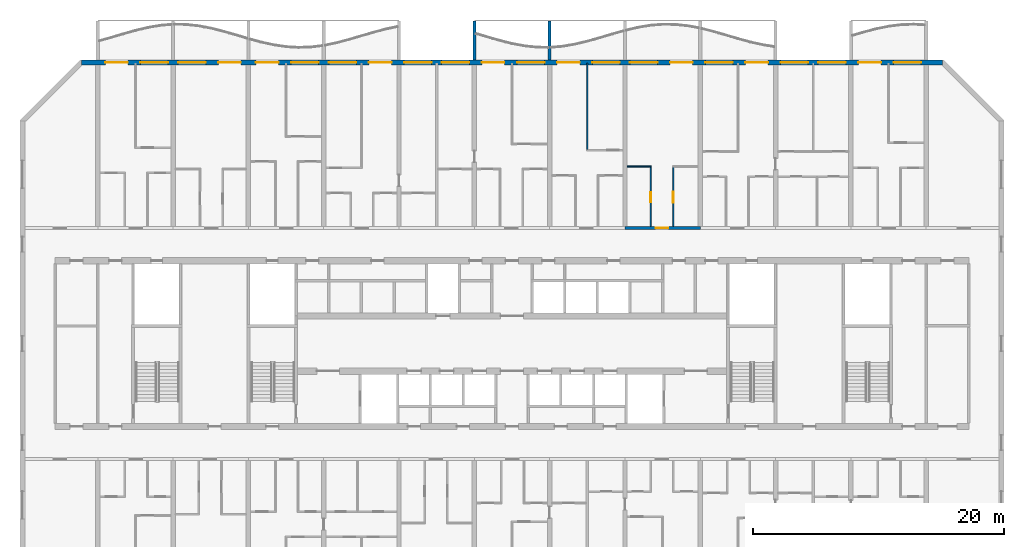
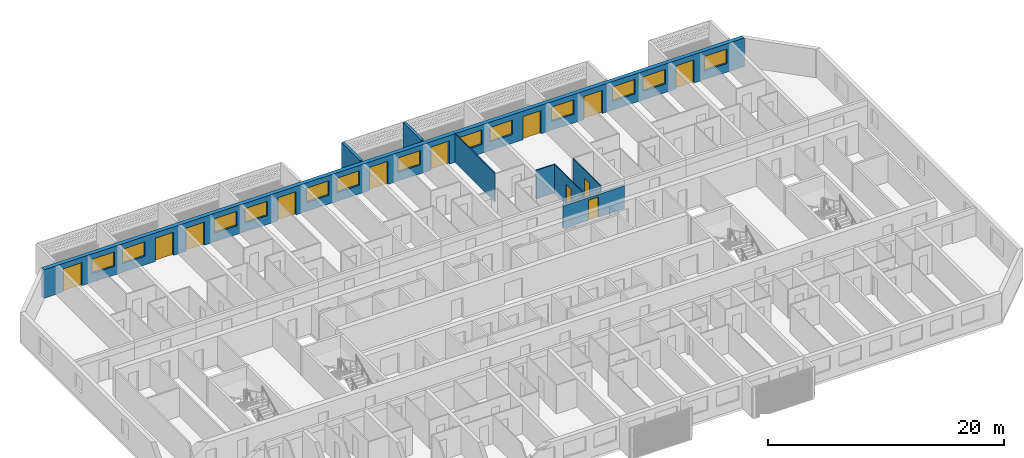
# One storey, part 11 of 24: 13 windows, 12 doors, 8 walls, 25 openings.
"""IFC4 building model written with IfcOpenShell, lengths in metres."""

from ifc_helpers import new_model, si_unit, direction, frame, frame_2d, origin, place, context, subcontext, project, spatial, polyline, rectangle, outline, extrude, source, transform, mapped, material, layer, layer_set, type_object, element, fill, save


model = new_model("IFC4")

# Units and contexts
model_context = context("Model", 3, precision=1e-05, world=origin(), true_north=direction((0.0, 1.0)))
body_context = subcontext(model_context, "Body", "Model", "MODEL_VIEW")
ifc_project = project(units=[si_unit("LENGTHUNIT", "METRE"), si_unit("AREAUNIT", "SQUARE_METRE"), si_unit("VOLUMEUNIT", "CUBIC_METRE"), si_unit("PLANEANGLEUNIT", "RADIAN"), si_unit("MASSUNIT", "GRAM", prefix="KILO")], contexts=[model_context])

# Site, building, storey
site_placement = place(None, origin())
site = spatial("IfcSite", under=ifc_project, at=site_placement, CompositionType="ELEMENT")
building_placement = place(site_placement, origin())
building = spatial("IfcBuilding", under=site, at=building_placement, Name="Poui Terraces", CompositionType="ELEMENT")
storey_placement = place(building_placement, frame((0.0, 0.0, 112.5)))
storey = spatial("IfcBuildingStorey", under=building, at=storey_placement, Name="L31", CompositionType="ELEMENT", Elevation=112.5)

# Wall, opening, door
ifc_material_1 = material(Name="Concrete 65 MPa", Category="concrete")
ifc_layer_1 = layer(ifc_material_1, 0.25)
ifc_layer_set_1 = layer_set([ifc_layer_1], Name="Concrete 65 MPa")
wall_type_1 = type_object("IfcWallType", Name="CORRIDOR WALL 250 65MPa", PredefinedType="SHEAR", material=ifc_layer_set_1)
wall_1_placement = place(storey_placement, frame((60.0, 30.39990234375, 0.0), z_axis=(0.0, 0.0, 1.0), x_axis=(1.0, 0.0, 0.0)))
wall_1 = element("IfcWall", 1, at=wall_1_placement, inside=storey, type_object=wall_type_1, Name="CORRIDOR WALL LINE E BAY 9", PredefinedType="SHEAR", context=body_context, shape_type="SweptSolid", body=[
    extrude(rectangle(XDim=6.0, YDim=0.25, at=frame_2d((3.0, 0.0))), origin(), (0.0, 0.0, 1.0), 2.35009765625),
])
opening_1_placement = place(wall_1_placement, frame((2.449951171875, 0.0, 0.0)))
opening_1 = element("IfcOpeningElement", 2, at=opening_1_placement, cuts=wall_1, Name="Opening FD30S", PredefinedType="OPENING", context=body_context, shape_type="SweptSolid", body=[
    extrude(rectangle(XDim=1.0, YDim=2.10009765625, at=frame_2d((0.5, 1.050048828125))), frame((0.0, 0.135009765625, 0.0), z_axis=(0.0, -1.0, 0.0), x_axis=(1.0, 0.0, 0.0)), (0.0, 0.0, 1.0), 0.27001953125),
])
ifc_material_2 = material(Name="Steel fire door", Category="steel")
door_type_1 = type_object("IfcDoorType", Name="FLAT ENTRANCE DOOR 1000 X 2100", OperationType="NOTDEFINED", PredefinedType="DOOR", material=ifc_material_2)
door_1_placement = place(opening_1_placement, origin())
door_1 = element("IfcDoor", 3, at=door_1_placement, inside=storey, type_object=door_type_1, Name="FLAT ENTRANCE DOOR 059", OperationType="SINGLE_SWING_LEFT", OverallHeight=2.10009765625, OverallWidth=1.0, PredefinedType="DOOR", context=body_context, shape_type="SweptSolid", body=[
    extrude(rectangle(XDim=1.0, YDim=2.10009765625, at=frame_2d((0.5, 1.050048828125))), frame((0.0, 0.02490234375, 0.0), z_axis=(0.0, -1.0, 0.0), x_axis=(1.0, 0.0, 0.0)), (0.0, 0.0, 1.0), 0.050048828125),
])
fill(opening_1, door_1)

# Wall, openings, doors, windows
ifc_material_3 = material(Name="Precast concrete 40 MPa", Category="concrete")
ifc_layer_2 = layer(ifc_material_3, 0.39990234375)
ifc_layer_set_2 = layer_set([ifc_layer_2], Name="Precast concrete 40 MPa")
wall_type_2 = type_object("IfcWallType", Name="EXTERNAL WALL 400", PredefinedType="STANDARD", material=ifc_layer_set_2)
wall_2_placement = place(storey_placement, frame((85.317138671875, 43.60009765625, 0.0), z_axis=(0.0, 0.0, 1.0), x_axis=(-1.0, 0.0, 0.0)))
wall_2 = element("IfcWall", 4, at=wall_2_placement, inside=storey, type_object=wall_type_2, Name="EXTERNAL WALL N", PredefinedType="STANDARD", context=body_context, shape_type="SweptSolid", body=[
    extrude(rectangle(XDim=68.63427734375, YDim=0.39990234375, at=frame_2d((34.317138671875, 0.0))), origin(), (0.0, 0.0, 1.0), 2.949951171875),
])
opening_2_placement = place(wall_2_placement, frame((64.917236328125, 0.0, 0.0)))
opening_2 = element("IfcOpeningElement", 5, at=opening_2_placement, cuts=wall_2, Name="Opening BD1", PredefinedType="OPENING", context=body_context, shape_type="SweptSolid", body=[
    extrude(rectangle(XDim=1.800048828125, YDim=2.39990234375, at=frame_2d((0.89990234375, 1.199951171875))), frame((0.0, 0.2099609375, 0.0), z_axis=(0.0, -1.0, 0.0), x_axis=(1.0, 0.0, 0.0)), (0.0, 0.0, 1.0), 0.419921875),
])
opening_3_placement = place(wall_2_placement, frame((61.71728515625, 0.0, 0.89990234375)))
opening_3 = element("IfcOpeningElement", 6, at=opening_3_placement, cuts=wall_2, Name="Opening W1", PredefinedType="OPENING", context=body_context, shape_type="SweptSolid", body=[
    extrude(rectangle(XDim=2.199951171875, YDim=1.5, at=frame_2d((1.10009765625, 0.75))), frame((0.0, 0.2099609375, 0.0), z_axis=(0.0, -1.0, 0.0), x_axis=(1.0, 0.0, 0.0)), (0.0, 0.0, 1.0), 0.419921875),
])
opening_4_placement = place(wall_2_placement, frame((58.71728515625, 0.0, 0.89990234375)))
opening_4 = element("IfcOpeningElement", 7, at=opening_4_placement, cuts=wall_2, Name="Opening W1", PredefinedType="OPENING", context=body_context, shape_type="SweptSolid", body=[
    extrude(rectangle(XDim=2.199951171875, YDim=1.5, at=frame_2d((1.10009765625, 0.75))), frame((0.0, 0.2099609375, 0.0), z_axis=(0.0, -1.0, 0.0), x_axis=(1.0, 0.0, 0.0)), (0.0, 0.0, 1.0), 0.419921875),
])
opening_5_placement = place(wall_2_placement, frame((55.917236328125, 0.0, 0.0)))
opening_5 = element("IfcOpeningElement", 8, at=opening_5_placement, cuts=wall_2, Name="Opening BD1", PredefinedType="OPENING", context=body_context, shape_type="SweptSolid", body=[
    extrude(rectangle(XDim=1.800048828125, YDim=2.39990234375, at=frame_2d((0.89990234375, 1.199951171875))), frame((0.0, 0.2099609375, 0.0), z_axis=(0.0, -1.0, 0.0), x_axis=(1.0, 0.0, 0.0)), (0.0, 0.0, 1.0), 0.419921875),
])
opening_6_placement = place(wall_2_placement, frame((52.917236328125, 0.0, 0.0)))
opening_6 = element("IfcOpeningElement", 9, at=opening_6_placement, cuts=wall_2, Name="Opening BD1", PredefinedType="OPENING", context=body_context, shape_type="SweptSolid", body=[
    extrude(rectangle(XDim=1.800048828125, YDim=2.39990234375, at=frame_2d((0.89990234375, 1.199951171875))), frame((0.0, 0.2099609375, 0.0), z_axis=(0.0, -1.0, 0.0), x_axis=(1.0, 0.0, 0.0)), (0.0, 0.0, 1.0), 0.419921875),
])
opening_7_placement = place(wall_2_placement, frame((49.71728515625, 0.0, 0.89990234375)))
opening_7 = element("IfcOpeningElement", 10, at=opening_7_placement, cuts=wall_2, Name="Opening W1", PredefinedType="OPENING", context=body_context, shape_type="SweptSolid", body=[
    extrude(rectangle(XDim=2.199951171875, YDim=1.5, at=frame_2d((1.10009765625, 0.75))), frame((0.0, 0.2099609375, 0.0), z_axis=(0.0, -1.0, 0.0), x_axis=(1.0, 0.0, 0.0)), (0.0, 0.0, 1.0), 0.419921875),
])
opening_8_placement = place(wall_2_placement, frame((46.71728515625, 0.0, 0.89990234375)))
opening_8 = element("IfcOpeningElement", 11, at=opening_8_placement, cuts=wall_2, Name="Opening W1", PredefinedType="OPENING", context=body_context, shape_type="SweptSolid", body=[
    extrude(rectangle(XDim=2.199951171875, YDim=1.5, at=frame_2d((1.10009765625, 0.75))), frame((0.0, 0.2099609375, 0.0), z_axis=(0.0, -1.0, 0.0), x_axis=(1.0, 0.0, 0.0)), (0.0, 0.0, 1.0), 0.419921875),
])
opening_9_placement = place(wall_2_placement, frame((43.917236328125, 0.0, 0.0)))
opening_9 = element("IfcOpeningElement", 12, at=opening_9_placement, cuts=wall_2, Name="Opening BD1", PredefinedType="OPENING", context=body_context, shape_type="SweptSolid", body=[
    extrude(rectangle(XDim=1.800048828125, YDim=2.39990234375, at=frame_2d((0.89990234375, 1.199951171875))), frame((0.0, 0.2099609375, 0.0), z_axis=(0.0, -1.0, 0.0), x_axis=(1.0, 0.0, 0.0)), (0.0, 0.0, 1.0), 0.419921875),
])
opening_10_placement = place(wall_2_placement, frame((40.71728515625, 0.0, 0.89990234375)))
opening_10 = element("IfcOpeningElement", 13, at=opening_10_placement, cuts=wall_2, Name="Opening W1", PredefinedType="OPENING", context=body_context, shape_type="SweptSolid", body=[
    extrude(rectangle(XDim=2.199951171875, YDim=1.5, at=frame_2d((1.10009765625, 0.75))), frame((0.0, 0.2099609375, 0.0), z_axis=(0.0, -1.0, 0.0), x_axis=(1.0, 0.0, 0.0)), (0.0, 0.0, 1.0), 0.419921875),
])
opening_11_placement = place(wall_2_placement, frame((37.71728515625, 0.0, 0.89990234375)))
opening_11 = element("IfcOpeningElement", 14, at=opening_11_placement, cuts=wall_2, Name="Opening W1", PredefinedType="OPENING", context=body_context, shape_type="SweptSolid", body=[
    extrude(rectangle(XDim=2.199951171875, YDim=1.5, at=frame_2d((1.10009765625, 0.75))), frame((0.0, 0.2099609375, 0.0), z_axis=(0.0, -1.0, 0.0), x_axis=(1.0, 0.0, 0.0)), (0.0, 0.0, 1.0), 0.419921875),
])
opening_12_placement = place(wall_2_placement, frame((34.917236328125, 0.0, 0.0)))
opening_12 = element("IfcOpeningElement", 15, at=opening_12_placement, cuts=wall_2, Name="Opening BD1", PredefinedType="OPENING", context=body_context, shape_type="SweptSolid", body=[
    extrude(rectangle(XDim=1.800048828125, YDim=2.39990234375, at=frame_2d((0.89990234375, 1.199951171875))), frame((0.0, 0.2099609375, 0.0), z_axis=(0.0, -1.0, 0.0), x_axis=(1.0, 0.0, 0.0)), (0.0, 0.0, 1.0), 0.419921875),
])
opening_13_placement = place(wall_2_placement, frame((31.71728515625, 0.0, 0.89990234375)))
opening_13 = element("IfcOpeningElement", 16, at=opening_13_placement, cuts=wall_2, Name="Opening W1", PredefinedType="OPENING", context=body_context, shape_type="SweptSolid", body=[
    extrude(rectangle(XDim=2.199951171875, YDim=1.5, at=frame_2d((1.10009765625, 0.75))), frame((0.0, 0.2099609375, 0.0), z_axis=(0.0, -1.0, 0.0), x_axis=(1.0, 0.0, 0.0)), (0.0, 0.0, 1.0), 0.419921875),
])
opening_14_placement = place(wall_2_placement, frame((28.917236328125, 0.0, 0.0)))
opening_14 = element("IfcOpeningElement", 17, at=opening_14_placement, cuts=wall_2, Name="Opening BD1", PredefinedType="OPENING", context=body_context, shape_type="SweptSolid", body=[
    extrude(rectangle(XDim=1.800048828125, YDim=2.39990234375, at=frame_2d((0.89990234375, 1.199951171875))), frame((0.0, 0.2099609375, 0.0), z_axis=(0.0, -1.0, 0.0), x_axis=(1.0, 0.0, 0.0)), (0.0, 0.0, 1.0), 0.419921875),
])
opening_15_placement = place(wall_2_placement, frame((25.71728515625, 0.0, 0.89990234375)))
opening_15 = element("IfcOpeningElement", 18, at=opening_15_placement, cuts=wall_2, Name="Opening W1", PredefinedType="OPENING", context=body_context, shape_type="SweptSolid", body=[
    extrude(rectangle(XDim=2.199951171875, YDim=1.5, at=frame_2d((1.10009765625, 0.75))), frame((0.0, 0.2099609375, 0.0), z_axis=(0.0, -1.0, 0.0), x_axis=(1.0, 0.0, 0.0)), (0.0, 0.0, 1.0), 0.419921875),
])
opening_16_placement = place(wall_2_placement, frame((22.71728515625, 0.0, 0.89990234375)))
opening_16 = element("IfcOpeningElement", 19, at=opening_16_placement, cuts=wall_2, Name="Opening W1", PredefinedType="OPENING", context=body_context, shape_type="SweptSolid", body=[
    extrude(rectangle(XDim=2.199951171875, YDim=1.5, at=frame_2d((1.10009765625, 0.75))), frame((0.0, 0.2099609375, 0.0), z_axis=(0.0, -1.0, 0.0), x_axis=(1.0, 0.0, 0.0)), (0.0, 0.0, 1.0), 0.419921875),
])
opening_17_placement = place(wall_2_placement, frame((19.917236328125, 0.0, 0.0)))
opening_17 = element("IfcOpeningElement", 20, at=opening_17_placement, cuts=wall_2, Name="Opening BD1", PredefinedType="OPENING", context=body_context, shape_type="SweptSolid", body=[
    extrude(rectangle(XDim=1.800048828125, YDim=2.39990234375, at=frame_2d((0.89990234375, 1.199951171875))), frame((0.0, 0.2099609375, 0.0), z_axis=(0.0, -1.0, 0.0), x_axis=(1.0, 0.0, 0.0)), (0.0, 0.0, 1.0), 0.419921875),
])
opening_18_placement = place(wall_2_placement, frame((16.71728515625, 0.0, 0.89990234375)))
opening_18 = element("IfcOpeningElement", 21, at=opening_18_placement, cuts=wall_2, Name="Opening W1", PredefinedType="OPENING", context=body_context, shape_type="SweptSolid", body=[
    extrude(rectangle(XDim=2.199951171875, YDim=1.5, at=frame_2d((1.10009765625, 0.75))), frame((0.0, 0.2099609375, 0.0), z_axis=(0.0, -1.0, 0.0), x_axis=(1.0, 0.0, 0.0)), (0.0, 0.0, 1.0), 0.419921875),
])
opening_19_placement = place(wall_2_placement, frame((13.917236328125, 0.0, 0.0)))
opening_19 = element("IfcOpeningElement", 22, at=opening_19_placement, cuts=wall_2, Name="Opening BD1", PredefinedType="OPENING", context=body_context, shape_type="SweptSolid", body=[
    extrude(rectangle(XDim=1.800048828125, YDim=2.39990234375, at=frame_2d((0.89990234375, 1.199951171875))), frame((0.0, 0.2099609375, 0.0), z_axis=(0.0, -1.0, 0.0), x_axis=(1.0, 0.0, 0.0)), (0.0, 0.0, 1.0), 0.419921875),
])
opening_20_placement = place(wall_2_placement, frame((10.71728515625, 0.0, 0.89990234375)))
opening_20 = element("IfcOpeningElement", 23, at=opening_20_placement, cuts=wall_2, Name="Opening W1", PredefinedType="OPENING", context=body_context, shape_type="SweptSolid", body=[
    extrude(rectangle(XDim=2.199951171875, YDim=1.5, at=frame_2d((1.10009765625, 0.75))), frame((0.0, 0.2099609375, 0.0), z_axis=(0.0, -1.0, 0.0), x_axis=(1.0, 0.0, 0.0)), (0.0, 0.0, 1.0), 0.419921875),
])
opening_21_placement = place(wall_2_placement, frame((7.71728515625, 0.0, 0.89990234375)))
opening_21 = element("IfcOpeningElement", 24, at=opening_21_placement, cuts=wall_2, Name="Opening W1", PredefinedType="OPENING", context=body_context, shape_type="SweptSolid", body=[
    extrude(rectangle(XDim=2.199951171875, YDim=1.5, at=frame_2d((1.10009765625, 0.75))), frame((0.0, 0.2099609375, 0.0), z_axis=(0.0, -1.0, 0.0), x_axis=(1.0, 0.0, 0.0)), (0.0, 0.0, 1.0), 0.419921875),
])
opening_22_placement = place(wall_2_placement, frame((4.917236328125, 0.0, 0.0)))
opening_22 = element("IfcOpeningElement", 25, at=opening_22_placement, cuts=wall_2, Name="Opening BD1", PredefinedType="OPENING", context=body_context, shape_type="SweptSolid", body=[
    extrude(rectangle(XDim=1.800048828125, YDim=2.39990234375, at=frame_2d((0.89990234375, 1.199951171875))), frame((0.0, 0.2099609375, 0.0), z_axis=(0.0, -1.0, 0.0), x_axis=(1.0, 0.0, 0.0)), (0.0, 0.0, 1.0), 0.419921875),
])
opening_23_placement = place(wall_2_placement, frame((1.71728515625, 0.0, 0.89990234375)))
opening_23 = element("IfcOpeningElement", 26, at=opening_23_placement, cuts=wall_2, Name="Opening W1", PredefinedType="OPENING", context=body_context, shape_type="SweptSolid", body=[
    extrude(rectangle(XDim=2.199951171875, YDim=1.5, at=frame_2d((1.10009765625, 0.75))), frame((0.0, 0.2099609375, 0.0), z_axis=(0.0, -1.0, 0.0), x_axis=(1.0, 0.0, 0.0)), (0.0, 0.0, 1.0), 0.419921875),
])
ifc_material_4 = material(Name="Clear glass in aluminium frame", Category="aluminium")
door_type_2 = type_object("IfcDoorType", Name="BALCONY DOOR 1800X2400", OperationType="DOUBLE_DOOR_SLIDING", PredefinedType="DOOR", material=ifc_material_4)
door_2_placement = place(opening_2_placement, origin())
door_2 = element("IfcDoor", 27, at=door_2_placement, inside=storey, type_object=door_type_2, Name="BD1 BALCONY DOOR", OperationType="DOUBLE_DOOR_SLIDING", OverallHeight=2.39990234375, OverallWidth=1.800048828125, PredefinedType="DOOR", context=body_context, shape_type="SweptSolid", body=[
    extrude(rectangle(XDim=1.800048828125, YDim=2.39990234375, at=frame_2d((0.89990234375, 1.199951171875))), frame((0.0, 0.02490234375, 0.0), z_axis=(0.0, -1.0, 0.0), x_axis=(1.0, 0.0, 0.0)), (0.0, 0.0, 1.0), 0.050048828125),
])
fill(opening_2, door_2)
door_3_placement = place(opening_5_placement, origin())
door_3 = element("IfcDoor", 28, at=door_3_placement, inside=storey, type_object=door_type_2, Name="BD1 BALCONY DOOR", OperationType="DOUBLE_DOOR_SLIDING", OverallHeight=2.39990234375, OverallWidth=1.800048828125, PredefinedType="DOOR", context=body_context, shape_type="SweptSolid", body=[
    extrude(rectangle(XDim=1.800048828125, YDim=2.39990234375, at=frame_2d((0.89990234375, 1.199951171875))), frame((0.0, 0.02490234375, 0.0), z_axis=(0.0, -1.0, 0.0), x_axis=(1.0, 0.0, 0.0)), (0.0, 0.0, 1.0), 0.050048828125),
])
fill(opening_5, door_3)
door_4_placement = place(opening_6_placement, origin())
door_4 = element("IfcDoor", 29, at=door_4_placement, inside=storey, type_object=door_type_2, Name="BD1 BALCONY DOOR", OperationType="DOUBLE_DOOR_SLIDING", OverallHeight=2.39990234375, OverallWidth=1.800048828125, PredefinedType="DOOR", context=body_context, shape_type="SweptSolid", body=[
    extrude(rectangle(XDim=1.800048828125, YDim=2.39990234375, at=frame_2d((0.89990234375, 1.199951171875))), frame((0.0, 0.02490234375, 0.0), z_axis=(0.0, -1.0, 0.0), x_axis=(1.0, 0.0, 0.0)), (0.0, 0.0, 1.0), 0.050048828125),
])
fill(opening_6, door_4)
door_5_placement = place(opening_9_placement, origin())
door_5 = element("IfcDoor", 30, at=door_5_placement, inside=storey, type_object=door_type_2, Name="BD1 BALCONY DOOR", OperationType="DOUBLE_DOOR_SLIDING", OverallHeight=2.39990234375, OverallWidth=1.800048828125, PredefinedType="DOOR", context=body_context, shape_type="SweptSolid", body=[
    extrude(rectangle(XDim=1.800048828125, YDim=2.39990234375, at=frame_2d((0.89990234375, 1.199951171875))), frame((0.0, 0.02490234375, 0.0), z_axis=(0.0, -1.0, 0.0), x_axis=(1.0, 0.0, 0.0)), (0.0, 0.0, 1.0), 0.050048828125),
])
fill(opening_9, door_5)
door_6_placement = place(opening_12_placement, origin())
door_6 = element("IfcDoor", 31, at=door_6_placement, inside=storey, type_object=door_type_2, Name="BD1 BALCONY DOOR", OperationType="DOUBLE_DOOR_SLIDING", OverallHeight=2.39990234375, OverallWidth=1.800048828125, PredefinedType="DOOR", context=body_context, shape_type="SweptSolid", body=[
    extrude(rectangle(XDim=1.800048828125, YDim=2.39990234375, at=frame_2d((0.89990234375, 1.199951171875))), frame((0.0, 0.02490234375, 0.0), z_axis=(0.0, -1.0, 0.0), x_axis=(1.0, 0.0, 0.0)), (0.0, 0.0, 1.0), 0.050048828125),
])
fill(opening_12, door_6)
door_7_placement = place(opening_14_placement, origin())
door_7 = element("IfcDoor", 32, at=door_7_placement, inside=storey, type_object=door_type_2, Name="BD1 BALCONY DOOR", OperationType="DOUBLE_DOOR_SLIDING", OverallHeight=2.39990234375, OverallWidth=1.800048828125, PredefinedType="DOOR", context=body_context, shape_type="SweptSolid", body=[
    extrude(rectangle(XDim=1.800048828125, YDim=2.39990234375, at=frame_2d((0.89990234375, 1.199951171875))), frame((0.0, 0.02490234375, 0.0), z_axis=(0.0, -1.0, 0.0), x_axis=(1.0, 0.0, 0.0)), (0.0, 0.0, 1.0), 0.050048828125),
])
fill(opening_14, door_7)
door_8_placement = place(opening_17_placement, origin())
door_8 = element("IfcDoor", 33, at=door_8_placement, inside=storey, type_object=door_type_2, Name="BD1 BALCONY DOOR", OperationType="DOUBLE_DOOR_SLIDING", OverallHeight=2.39990234375, OverallWidth=1.800048828125, PredefinedType="DOOR", context=body_context, shape_type="SweptSolid", body=[
    extrude(rectangle(XDim=1.800048828125, YDim=2.39990234375, at=frame_2d((0.89990234375, 1.199951171875))), frame((0.0, 0.02490234375, 0.0), z_axis=(0.0, -1.0, 0.0), x_axis=(1.0, 0.0, 0.0)), (0.0, 0.0, 1.0), 0.050048828125),
])
fill(opening_17, door_8)
door_9_placement = place(opening_19_placement, origin())
door_9 = element("IfcDoor", 34, at=door_9_placement, inside=storey, type_object=door_type_2, Name="BD1 BALCONY DOOR", OperationType="DOUBLE_DOOR_SLIDING", OverallHeight=2.39990234375, OverallWidth=1.800048828125, PredefinedType="DOOR", context=body_context, shape_type="SweptSolid", body=[
    extrude(rectangle(XDim=1.800048828125, YDim=2.39990234375, at=frame_2d((0.89990234375, 1.199951171875))), frame((0.0, 0.02490234375, 0.0), z_axis=(0.0, -1.0, 0.0), x_axis=(1.0, 0.0, 0.0)), (0.0, 0.0, 1.0), 0.050048828125),
])
fill(opening_19, door_9)
door_10_placement = place(opening_22_placement, origin())
door_10 = element("IfcDoor", 35, at=door_10_placement, inside=storey, type_object=door_type_2, Name="BD1 BALCONY DOOR", OperationType="DOUBLE_DOOR_SLIDING", OverallHeight=2.39990234375, OverallWidth=1.800048828125, PredefinedType="DOOR", context=body_context, shape_type="SweptSolid", body=[
    extrude(rectangle(XDim=1.800048828125, YDim=2.39990234375, at=frame_2d((0.89990234375, 1.199951171875))), frame((0.0, 0.02490234375, 0.0), z_axis=(0.0, -1.0, 0.0), x_axis=(1.0, 0.0, 0.0)), (0.0, 0.0, 1.0), 0.050048828125),
])
fill(opening_22, door_10)
window_type = type_object("IfcWindowType", Name="WINDOW 2200X1500", PartitioningType="DOUBLE_PANEL_HORIZONTAL", PredefinedType="WINDOW", material=ifc_material_4)
window_1_placement = place(opening_3_placement, origin())
window_1 = element("IfcWindow", 36, at=window_1_placement, inside=storey, type_object=window_type, Name="W1 WINDOW", OverallHeight=1.5, OverallWidth=2.199951171875, PartitioningType="DOUBLE_PANEL_HORIZONTAL", PredefinedType="WINDOW", context=body_context, shape_type="SweptSolid", body=[
    extrude(rectangle(XDim=2.199951171875, YDim=1.5, at=frame_2d((1.10009765625, 0.75))), frame((0.0, 0.030029296875, 0.0), z_axis=(0.0, -1.0, 0.0), x_axis=(1.0, 0.0, 0.0)), (0.0, 0.0, 1.0), 0.06005859375),
])
fill(opening_3, window_1)
window_2_placement = place(opening_4_placement, origin())
window_2 = element("IfcWindow", 37, at=window_2_placement, inside=storey, type_object=window_type, Name="W1 WINDOW", OverallHeight=1.5, OverallWidth=2.199951171875, PartitioningType="DOUBLE_PANEL_HORIZONTAL", PredefinedType="WINDOW", context=body_context, shape_type="SweptSolid", body=[
    extrude(rectangle(XDim=2.199951171875, YDim=1.5, at=frame_2d((1.10009765625, 0.75))), frame((0.0, 0.030029296875, 0.0), z_axis=(0.0, -1.0, 0.0), x_axis=(1.0, 0.0, 0.0)), (0.0, 0.0, 1.0), 0.06005859375),
])
fill(opening_4, window_2)
window_3_placement = place(opening_7_placement, origin())
window_3 = element("IfcWindow", 38, at=window_3_placement, inside=storey, type_object=window_type, Name="W1 WINDOW", OverallHeight=1.5, OverallWidth=2.199951171875, PartitioningType="DOUBLE_PANEL_HORIZONTAL", PredefinedType="WINDOW", context=body_context, shape_type="SweptSolid", body=[
    extrude(rectangle(XDim=2.199951171875, YDim=1.5, at=frame_2d((1.10009765625, 0.75))), frame((0.0, 0.030029296875, 0.0), z_axis=(0.0, -1.0, 0.0), x_axis=(1.0, 0.0, 0.0)), (0.0, 0.0, 1.0), 0.06005859375),
])
fill(opening_7, window_3)
window_4_placement = place(opening_8_placement, origin())
window_4 = element("IfcWindow", 39, at=window_4_placement, inside=storey, type_object=window_type, Name="W1 WINDOW", OverallHeight=1.5, OverallWidth=2.199951171875, PartitioningType="DOUBLE_PANEL_HORIZONTAL", PredefinedType="WINDOW", context=body_context, shape_type="SweptSolid", body=[
    extrude(rectangle(XDim=2.199951171875, YDim=1.5, at=frame_2d((1.10009765625, 0.75))), frame((0.0, 0.030029296875, 0.0), z_axis=(0.0, -1.0, 0.0), x_axis=(1.0, 0.0, 0.0)), (0.0, 0.0, 1.0), 0.06005859375),
])
fill(opening_8, window_4)
window_5_placement = place(opening_10_placement, origin())
window_5 = element("IfcWindow", 40, at=window_5_placement, inside=storey, type_object=window_type, Name="W1 WINDOW", OverallHeight=1.5, OverallWidth=2.199951171875, PartitioningType="DOUBLE_PANEL_HORIZONTAL", PredefinedType="WINDOW", context=body_context, shape_type="SweptSolid", body=[
    extrude(rectangle(XDim=2.199951171875, YDim=1.5, at=frame_2d((1.10009765625, 0.75))), frame((0.0, 0.030029296875, 0.0), z_axis=(0.0, -1.0, 0.0), x_axis=(1.0, 0.0, 0.0)), (0.0, 0.0, 1.0), 0.06005859375),
])
fill(opening_10, window_5)
window_6_placement = place(opening_11_placement, origin())
window_6 = element("IfcWindow", 41, at=window_6_placement, inside=storey, type_object=window_type, Name="W1 WINDOW", OverallHeight=1.5, OverallWidth=2.199951171875, PartitioningType="DOUBLE_PANEL_HORIZONTAL", PredefinedType="WINDOW", context=body_context, shape_type="SweptSolid", body=[
    extrude(rectangle(XDim=2.199951171875, YDim=1.5, at=frame_2d((1.10009765625, 0.75))), frame((0.0, 0.030029296875, 0.0), z_axis=(0.0, -1.0, 0.0), x_axis=(1.0, 0.0, 0.0)), (0.0, 0.0, 1.0), 0.06005859375),
])
fill(opening_11, window_6)
window_7_placement = place(opening_13_placement, origin())
window_7 = element("IfcWindow", 42, at=window_7_placement, inside=storey, type_object=window_type, Name="W1 WINDOW", OverallHeight=1.5, OverallWidth=2.199951171875, PartitioningType="DOUBLE_PANEL_HORIZONTAL", PredefinedType="WINDOW", context=body_context, shape_type="SweptSolid", body=[
    extrude(rectangle(XDim=2.199951171875, YDim=1.5, at=frame_2d((1.10009765625, 0.75))), frame((0.0, 0.030029296875, 0.0), z_axis=(0.0, -1.0, 0.0), x_axis=(1.0, 0.0, 0.0)), (0.0, 0.0, 1.0), 0.06005859375),
])
fill(opening_13, window_7)
window_8_placement = place(opening_15_placement, origin())
window_8 = element("IfcWindow", 43, at=window_8_placement, inside=storey, type_object=window_type, Name="W1 WINDOW", OverallHeight=1.5, OverallWidth=2.199951171875, PartitioningType="DOUBLE_PANEL_HORIZONTAL", PredefinedType="WINDOW", context=body_context, shape_type="SweptSolid", body=[
    extrude(rectangle(XDim=2.199951171875, YDim=1.5, at=frame_2d((1.10009765625, 0.75))), frame((0.0, 0.030029296875, 0.0), z_axis=(0.0, -1.0, 0.0), x_axis=(1.0, 0.0, 0.0)), (0.0, 0.0, 1.0), 0.06005859375),
])
fill(opening_15, window_8)
window_9_placement = place(opening_16_placement, origin())
window_9 = element("IfcWindow", 44, at=window_9_placement, inside=storey, type_object=window_type, Name="W1 WINDOW", OverallHeight=1.5, OverallWidth=2.199951171875, PartitioningType="DOUBLE_PANEL_HORIZONTAL", PredefinedType="WINDOW", context=body_context, shape_type="SweptSolid", body=[
    extrude(rectangle(XDim=2.199951171875, YDim=1.5, at=frame_2d((1.10009765625, 0.75))), frame((0.0, 0.030029296875, 0.0), z_axis=(0.0, -1.0, 0.0), x_axis=(1.0, 0.0, 0.0)), (0.0, 0.0, 1.0), 0.06005859375),
])
fill(opening_16, window_9)
window_10_placement = place(opening_18_placement, origin())
window_10 = element("IfcWindow", 45, at=window_10_placement, inside=storey, type_object=window_type, Name="W1 WINDOW", OverallHeight=1.5, OverallWidth=2.199951171875, PartitioningType="DOUBLE_PANEL_HORIZONTAL", PredefinedType="WINDOW", context=body_context, shape_type="SweptSolid", body=[
    extrude(rectangle(XDim=2.199951171875, YDim=1.5, at=frame_2d((1.10009765625, 0.75))), frame((0.0, 0.030029296875, 0.0), z_axis=(0.0, -1.0, 0.0), x_axis=(1.0, 0.0, 0.0)), (0.0, 0.0, 1.0), 0.06005859375),
])
fill(opening_18, window_10)
window_11_placement = place(opening_20_placement, origin())
window_11 = element("IfcWindow", 46, at=window_11_placement, inside=storey, type_object=window_type, Name="W1 WINDOW", OverallHeight=1.5, OverallWidth=2.199951171875, PartitioningType="DOUBLE_PANEL_HORIZONTAL", PredefinedType="WINDOW", context=body_context, shape_type="SweptSolid", body=[
    extrude(rectangle(XDim=2.199951171875, YDim=1.5, at=frame_2d((1.10009765625, 0.75))), frame((0.0, 0.030029296875, 0.0), z_axis=(0.0, -1.0, 0.0), x_axis=(1.0, 0.0, 0.0)), (0.0, 0.0, 1.0), 0.06005859375),
])
fill(opening_20, window_11)
window_12_placement = place(opening_21_placement, origin())
window_12 = element("IfcWindow", 47, at=window_12_placement, inside=storey, type_object=window_type, Name="W1 WINDOW", OverallHeight=1.5, OverallWidth=2.199951171875, PartitioningType="DOUBLE_PANEL_HORIZONTAL", PredefinedType="WINDOW", context=body_context, shape_type="SweptSolid", body=[
    extrude(rectangle(XDim=2.199951171875, YDim=1.5, at=frame_2d((1.10009765625, 0.75))), frame((0.0, 0.030029296875, 0.0), z_axis=(0.0, -1.0, 0.0), x_axis=(1.0, 0.0, 0.0)), (0.0, 0.0, 1.0), 0.06005859375),
])
fill(opening_21, window_12)
window_13_placement = place(opening_23_placement, origin())
window_13 = element("IfcWindow", 48, at=window_13_placement, inside=storey, type_object=window_type, Name="W1 WINDOW", OverallHeight=1.5, OverallWidth=2.199951171875, PartitioningType="DOUBLE_PANEL_HORIZONTAL", PredefinedType="WINDOW", context=body_context, shape_type="SweptSolid", body=[
    extrude(rectangle(XDim=2.199951171875, YDim=1.5, at=frame_2d((1.10009765625, 0.75))), frame((0.0, 0.030029296875, 0.0), z_axis=(0.0, -1.0, 0.0), x_axis=(1.0, 0.0, 0.0)), (0.0, 0.0, 1.0), 0.06005859375),
])
fill(opening_23, window_13)

# Walls
ifc_material_5 = material(Name="Plasterboard partition")
ifc_layer_3 = layer(ifc_material_5, 0.10009765625)
ifc_layer_set_3 = layer_set([ifc_layer_3], Name="Plasterboard partition")
wall_type_3 = type_object("IfcWallType", Name="FLAT PARTITION 100", PredefinedType="PARTITIONING", material=ifc_layer_set_3)
wall_3_placement = place(storey_placement, frame((60.18505859375, 35.300048828125, 0.0), z_axis=(0.0, 0.0, 1.0), x_axis=(1.0, 0.0, 0.0)))
element("IfcWall", 49, at=wall_3_placement, inside=storey, type_object=wall_type_3, Name="FLAT PARTITION 100", PredefinedType="PARTITIONING", context=body_context, shape_type="SweptSolid", body=[
    extrude(rectangle(XDim=1.9150390625, YDim=0.10009765625, at=frame_2d((0.95751953125, 0.0))), origin(), (0.0, 0.0, 1.0), 2.949951171875),
])
wall_4_placement = place(storey_placement, frame((57.0, 36.64990234375, 0.0), z_axis=(0.0, 0.0, 1.0), x_axis=(0.0, 1.0, 0.0)))
element("IfcWall", 50, at=wall_4_placement, inside=storey, type_object=wall_type_3, Name="FLAT PARTITION 100", PredefinedType="PARTITIONING", context=body_context, shape_type="SweptSolid", body=[
    extrude(rectangle(XDim=6.89013671875, YDim=0.10009765625, at=frame_2d((3.445068359375, 0.0))), origin(), (0.0, 0.0, 1.0), 2.949951171875),
])

# Wall, opening, door
wall_5_placement = place(storey_placement, frame((62.050048828125, 30.534912109375, 0.0), z_axis=(0.0, 0.0, 1.0), x_axis=(0.0, 1.0, 0.0)))
wall_5 = element("IfcWall", 51, at=wall_5_placement, inside=storey, type_object=wall_type_3, Name="FLAT PARTITION 100", PredefinedType="PARTITIONING", context=body_context, shape_type="SweptSolid", body=[
    extrude(rectangle(XDim=4.715087890625, YDim=0.10009765625, at=frame_2d((2.357421875, 0.0))), origin(), (0.0, 0.0, 1.0), 2.949951171875),
])
opening_24_placement = place(wall_5_placement, frame((1.9150390625, 0.0, 0.0)))
opening_24 = element("IfcOpeningElement", 52, at=opening_24_placement, cuts=wall_5, Name="Opening D80", PredefinedType="OPENING", context=body_context, shape_type="SweptSolid", body=[
    extrude(rectangle(XDim=0.800048828125, YDim=2.10009765625, at=frame_2d((0.39990234375, 1.050048828125))), frame((0.0, 0.06005859375, 0.0), z_axis=(0.0, -1.0, 0.0), x_axis=(1.0, 0.0, 0.0)), (0.0, 0.0, 1.0), 0.1201171875),
])
ifc_material_6 = material(Name="Solid core timber door", Category="wood")
door_type_3 = type_object("IfcDoorType", Name="BATHROOM, LAUNDRY AND STORE DOOR 800 X 2100", OperationType="NOTDEFINED", PredefinedType="DOOR", material=ifc_material_6)
door_11_placement = place(opening_24_placement, origin())
door_11 = element("IfcDoor", 53, at=door_11_placement, inside=storey, type_object=door_type_3, Name="BATHROOM, LAUNDRY AND STORE DOOR 058", OperationType="SINGLE_SWING_LEFT", OverallHeight=2.10009765625, OverallWidth=0.800048828125, PredefinedType="DOOR", context=body_context, shape_type="SweptSolid", body=[
    extrude(rectangle(XDim=0.800048828125, YDim=2.10009765625, at=frame_2d((0.39990234375, 1.050048828125))), frame((0.0, 0.02490234375, 0.0), z_axis=(0.0, -1.0, 0.0), x_axis=(1.0, 0.0, 0.0)), (0.0, 0.0, 1.0), 0.050048828125),
])
fill(opening_24, door_11)

wall_6_placement = place(storey_placement, frame((63.85009765625, 30.534912109375, 0.0), z_axis=(0.0, 0.0, 1.0), x_axis=(0.0, 1.0, 0.0)))
wall_6 = element("IfcWall", 54, at=wall_6_placement, inside=storey, type_object=wall_type_3, Name="FLAT PARTITION 100", PredefinedType="PARTITIONING", context=body_context, shape_type="SweptSolid", body=[
    extrude(rectangle(XDim=4.715087890625, YDim=0.10009765625, at=frame_2d((2.357421875, 0.0))), origin(), (0.0, 0.0, 1.0), 2.949951171875),
])
opening_25_placement = place(wall_6_placement, frame((1.864990234375, 0.0, 0.0)))
opening_25 = element("IfcOpeningElement", 55, at=opening_25_placement, cuts=wall_6, Name="Opening D90", PredefinedType="OPENING", context=body_context, shape_type="SweptSolid", body=[
    extrude(rectangle(XDim=0.89990234375, YDim=2.10009765625, at=frame_2d((0.449951171875, 1.050048828125))), frame((0.0, 0.06005859375, 0.0), z_axis=(0.0, -1.0, 0.0), x_axis=(1.0, 0.0, 0.0)), (0.0, 0.0, 1.0), 0.1201171875),
])
door_type_4 = type_object("IfcDoorType", Name="INTERNAL DOOR 900 X 2100", OperationType="NOTDEFINED", PredefinedType="DOOR", material=ifc_material_6)
door_12_placement = place(opening_25_placement, frame((0.89990234375, 0.0, 0.0), z_axis=(0.0, 0.0, 1.0), x_axis=(-1.0, 0.0, 0.0)))
door_12 = element("IfcDoor", 56, at=door_12_placement, inside=storey, type_object=door_type_4, Name="INTERNAL DOOR 060", OperationType="SINGLE_SWING_LEFT", OverallHeight=2.10009765625, OverallWidth=0.89990234375, PredefinedType="DOOR", context=body_context, shape_type="SweptSolid", body=[
    extrude(rectangle(XDim=0.89990234375, YDim=2.10009765625, at=frame_2d((0.449951171875, 1.050048828125))), frame((0.0, 0.02490234375, 0.0), z_axis=(0.0, -1.0, 0.0), x_axis=(1.0, 0.0, 0.0)), (0.0, 0.0, 1.0), 0.050048828125),
])
fill(opening_25, door_12)

# Walls
ifc_layer_4 = layer(ifc_material_3, 0.25)
ifc_layer_set_4 = layer_set([ifc_layer_4], Name="Precast concrete 40 MPa")
wall_type_4 = type_object("IfcWallType", Name="BALCONY FIN 250", PredefinedType="STANDARD", material=ifc_layer_set_4)
shared_shape = source(origin(), body_context, "Body", "SweptSolid", [
    extrude(outline(polyline([(0.0, 0.0), (0.25, 0.0), (0.25, 3.099853515625), (0.0, 3.099853515625), (0.0, 0.0)])), origin(), (0.0, 0.0, 1.0), 3.10009765625),
])
for number, where, name in (
    (57, (47.875, 43.800048828125, 0.0), "BALCONY FIN"),
    (58, (53.875, 43.800048828125, 0.0), "BALCONY FIN"),
):
    element("IfcWall", number, at=place(storey_placement, frame(where)), inside=storey, type_object=wall_type_4, Name=name, PredefinedType="STANDARD", context=body_context, shape_type="MappedRepresentation", body=[
        mapped(shared_shape, transform((0.0, 0.0, 0.0))),
    ])

save(model, "model.ifc")
